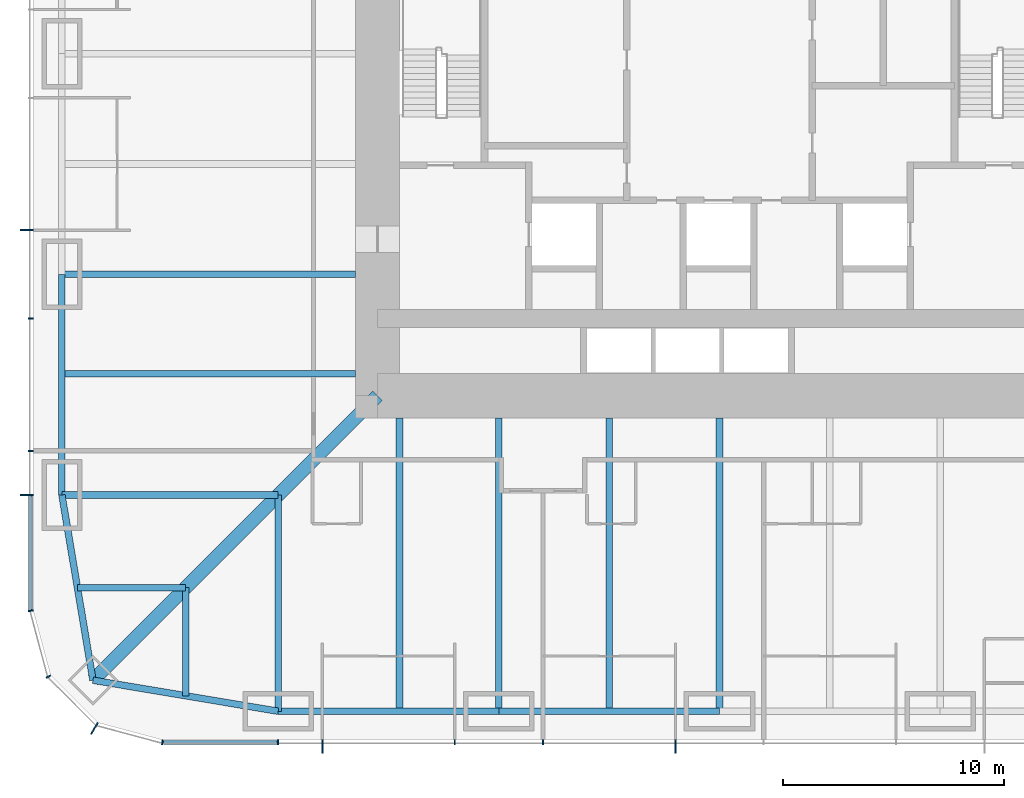
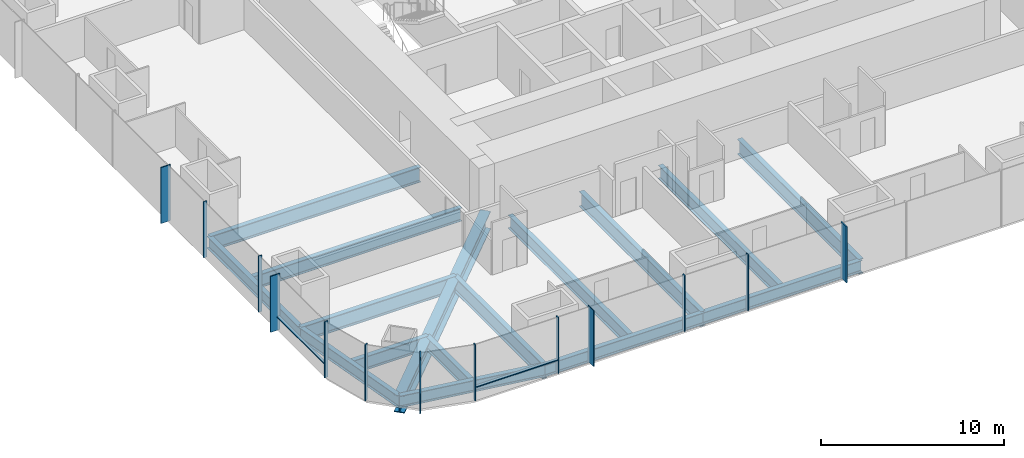
# One storey, part 2 of 17: 16 beams, 15 members, 3 elements without a shape of their own.
"""IFC4 building model written with IfcOpenShell, lengths in metres."""

from ifc_helpers import new_model, si_unit, direction, frame, origin, origin_2d, place, context, subcontext, project, spatial, rectangle, i_section, extrude, material, material_profile, profile_set, type_object, element, aggregate, save


model = new_model("IFC4")

# Units and contexts
model_context = context("Model", 3, precision=1e-05, world=origin(), true_north=direction((0.0, 1.0)))
body_context = subcontext(model_context, "Body", "Model", "MODEL_VIEW")
ifc_project = project(units=[si_unit("LENGTHUNIT", "METRE"), si_unit("AREAUNIT", "SQUARE_METRE"), si_unit("VOLUMEUNIT", "CUBIC_METRE"), si_unit("PLANEANGLEUNIT", "RADIAN"), si_unit("MASSUNIT", "GRAM", prefix="KILO")], contexts=[model_context])

# Site, building, storey
site_placement = place(None, origin())
site = spatial("IfcSite", under=ifc_project, at=site_placement, CompositionType="ELEMENT")
building_placement = place(site_placement, origin())
building = spatial("IfcBuilding", under=site, at=building_placement, Name="Khuree Lantern Residences", CompositionType="ELEMENT")
storey_placement = place(building_placement, frame((0.0, 0.0, 77.25)))
storey = spatial("IfcBuildingStorey", under=building, at=storey_placement, Name="L19", CompositionType="ELEMENT", Elevation=77.25)

# Beams
ifc_material_1 = material(Name="Steel S355", Category="steel")
ifc_material_profile_1 = material_profile(ifc_material_1, i_section(OverallWidth=0.300048828125, OverallDepth=0.889892578125, WebThickness=0.01611328125, FlangeThickness=0.030029296875, FilletRadius=0.030029296875, at=origin_2d()), Name="HE 900 A")
ifc_profile_set_1 = profile_set([ifc_material_profile_1], Name="Steel S355")
beam_type_1 = type_object("IfcBeamType", Name="B-14 SECONDARY BEAM HE 900 A", PredefinedType="BEAM", material=ifc_profile_set_1)
for number, where, z_axis, x_axis, name in (
    (1, (-5.0, -29.800048828125, -0.695068359375), (0.0, 1.0, 0.0), (-1.0, 0.0, 0.0), "Secondary beam S4"),
    (2, (-14.5, -29.800048828125, -0.695068359375), (0.0, 1.0, 0.0), (-1.0, 0.0, 0.0), "Secondary beam S5"),
):
    element("IfcBeam", number, at=place(storey_placement, frame(where, z_axis=z_axis, x_axis=x_axis)), inside=storey, type_object=beam_type_1, Name=name, PredefinedType="BEAM", context=body_context, shape_type="SweptSolid", body=[
        extrude(i_section(OverallWidth=0.300048828125, OverallDepth=0.889892578125, WebThickness=0.01611328125, FlangeThickness=0.030029296875, FilletRadius=0.030029296875, at=origin_2d()), origin(), (0.0, 0.0, 1.0), 13.300048828125),
    ])
for number, where, z_axis, x_axis, name in (
    (3, (-24.197021484375, -29.09716796875, -0.695068359375), (0.0, 1.0, 0.0), (-1.0, 0.0, 0.0), "Secondary beam S6"),
    (4, (-29.09716796875, -24.197021484375, -0.695068359375), (1.0, 0.0, 0.0), (0.0, 1.0, 0.0), "Secondary beam W1"),
):
    element("IfcBeam", number, at=place(storey_placement, frame(where, z_axis=z_axis, x_axis=x_axis)), inside=storey, type_object=beam_type_1, Name=name, PredefinedType="BEAM", context=body_context, shape_type="SweptSolid", body=[
        extrude(i_section(OverallWidth=0.300048828125, OverallDepth=0.889892578125, WebThickness=0.01611328125, FlangeThickness=0.030029296875, FilletRadius=0.030029296875, at=origin_2d()), origin(), (0.0, 0.0, 1.0), 4.900146484375),
    ])
beam_1_placement = place(storey_placement, frame((-29.800048828125, -14.5, -0.695068359375), z_axis=(1.0, 0.0, 0.0), x_axis=(0.0, 1.0, 0.0)))
element("IfcBeam", 5, at=beam_1_placement, inside=storey, type_object=beam_type_1, Name="Secondary beam W2", PredefinedType="BEAM", context=body_context, shape_type="SweptSolid", body=[
    extrude(i_section(OverallWidth=0.300048828125, OverallDepth=0.889892578125, WebThickness=0.01611328125, FlangeThickness=0.030029296875, FilletRadius=0.030029296875, at=origin_2d()), origin(), (0.0, 0.0, 1.0), 13.300048828125),
])
ifc_material_profile_2 = material_profile(ifc_material_1, i_section(OverallWidth=0.300048828125, OverallDepth=0.7900390625, WebThickness=0.014892578125, FlangeThickness=0.028076171875, FilletRadius=0.030029296875, at=origin_2d()), Name="HE 800 A")
ifc_profile_set_2 = profile_set([ifc_material_profile_2], Name="Steel S355")
beam_type_2 = type_object("IfcBeamType", Name="E-14 SPANDREL BEAM HE 800 A", PredefinedType="SPANDREL", material=ifc_profile_set_2)
for number, where, z_axis, x_axis, name in (
    (6, (0.0, -29.800048828125, -0.64501953125), (-1.0, 0.0, 0.0), (0.0, -1.0, 0.0), "Spandrel beam S4"),
    (7, (-10.0, -29.800048828125, -0.64501953125), (-1.0, 0.0, 0.0), (0.0, -1.0, 0.0), "Spandrel beam S5"),
):
    element("IfcBeam", number, at=place(storey_placement, frame(where, z_axis=z_axis, x_axis=x_axis)), inside=storey, type_object=beam_type_2, Name=name, PredefinedType="SPANDREL", context=body_context, shape_type="SweptSolid", body=[
        extrude(i_section(OverallWidth=0.300048828125, OverallDepth=0.7900390625, WebThickness=0.014892578125, FlangeThickness=0.028076171875, FilletRadius=0.030029296875, at=origin_2d()), origin(), (0.0, 0.0, 1.0), 10.0),
    ])
for number, where, z_axis, x_axis, name in (
    (8, (-20.0, -29.800048828125, -0.64501953125), (-0.986260251158, 0.165199022349, 0.0), (-0.165199022349, -0.986260251158, 0.0), "Spandrel beam S6"),
    (9, (-28.39404296875, -28.39404296875, -0.64501953125), (-0.165199022349, 0.986260251158, 0.0), (-0.986260251158, -0.165199022349, 0.0), "Spandrel beam W1"),
):
    element("IfcBeam", number, at=place(storey_placement, frame(where, z_axis=z_axis, x_axis=x_axis)), inside=storey, type_object=beam_type_2, Name=name, PredefinedType="SPANDREL", context=body_context, shape_type="SweptSolid", body=[
        extrude(i_section(OverallWidth=0.300048828125, OverallDepth=0.7900390625, WebThickness=0.014892578125, FlangeThickness=0.028076171875, FilletRadius=0.030029296875, at=origin_2d()), origin(), (0.0, 0.0, 1.0), 8.510986328125),
    ])
beam_2_placement = place(storey_placement, frame((-29.800048828125, -20.0, -0.64501953125), z_axis=(0.0, 1.0, 0.0), x_axis=(-1.0, 0.0, 0.0)))
element("IfcBeam", 10, at=beam_2_placement, inside=storey, type_object=beam_type_2, Name="Spandrel beam W2", PredefinedType="SPANDREL", context=body_context, shape_type="SweptSolid", body=[
    extrude(i_section(OverallWidth=0.300048828125, OverallDepth=0.7900390625, WebThickness=0.014892578125, FlangeThickness=0.028076171875, FilletRadius=0.030029296875, at=origin_2d()), origin(), (0.0, 0.0, 1.0), 10.0),
])

# Curtain wall, members
ifc_material_2 = material(Name="Bronze anodised aluminium", Category="aluminium")
curtain_wall_type_1 = type_object("IfcCurtainWallType", Name="CW-T1 TOWER FACE CURTAIN WALL", PredefinedType="USERDEFINED", material=ifc_material_2)
curtain_wall_1_placement = place(storey_placement, origin())
curtain_wall_1 = element("IfcCurtainWall", 11, at=curtain_wall_1_placement, inside=storey, type_object=curtain_wall_type_1, Name="L19 WEST FACE CURTAIN WALL", ObjectType="Stick-built curtain wall", PredefinedType="USERDEFINED")
ifc_material_profile_3 = material_profile(ifc_material_2, rectangle(XDim=0.06494140625, YDim=0.60009765625, at=origin_2d()), Name="F1 65X600")
ifc_profile_set_3 = profile_set([ifc_material_profile_3], Name="Bronze anodised aluminium")
member_type_1 = type_object("IfcMemberType", Name="F1 BRONZE FIN MULLION TOWER 65X600", PredefinedType="MULLION", material=ifc_profile_set_3)
member_1_placement = place(storey_placement, frame((-31.39990234375, -8.0, 0.0), z_axis=(0.0, 0.0, 1.0), x_axis=(0.0, -1.0, 0.0)))
member_1 = element("IfcMember", 12, at=member_1_placement, type_object=member_type_1, Name="L19 WEST FACE FIN MULLION 39", PredefinedType="MULLION", context=body_context, shape_type="SweptSolid", body=[
    extrude(rectangle(XDim=0.06494140625, YDim=0.60009765625, at=origin_2d()), origin(), (0.0, 0.0, 1.0), 3.75),
])
member_2_placement = place(storey_placement, frame((-31.39990234375, -20.0, 0.0), z_axis=(0.0, 0.0, 1.0), x_axis=(0.0, -1.0, 0.0)))
member_2 = element("IfcMember", 13, at=member_2_placement, type_object=member_type_1, Name="L19 WEST FACE FIN MULLION 42", PredefinedType="MULLION", context=body_context, shape_type="SweptSolid", body=[
    extrude(rectangle(XDim=0.06494140625, YDim=0.60009765625, at=origin_2d()), origin(), (0.0, 0.0, 1.0), 3.75),
])

# Curtain wall, member
curtain_wall_type_2 = type_object("IfcCurtainWallType", Name="CW-T2 TOWER CORNER CURTAIN WALL", PredefinedType="USERDEFINED", material=ifc_material_2)
curtain_wall_2_placement = place(storey_placement, origin())
curtain_wall_2 = element("IfcCurtainWall", 14, at=curtain_wall_2_placement, inside=storey, type_object=curtain_wall_type_2, Name="L19 SOUTH-WEST CORNER CURTAIN WALL", ObjectType="Faceted corner curtain wall", PredefinedType="USERDEFINED")
member_3_placement = place(storey_placement, frame((-28.324951171875, -30.576171875, 0.0), z_axis=(0.0, 0.0, 1.0), x_axis=(0.86602537092, -0.500000056923, 0.0)))
member_3 = element("IfcMember", 15, at=member_3_placement, type_object=member_type_1, Name="L19 SOUTH-WEST CORNER FIN MULLION 45", PredefinedType="MULLION", context=body_context, shape_type="SweptSolid", body=[
    extrude(rectangle(XDim=0.06494140625, YDim=0.60009765625, at=origin_2d()), origin(), (0.0, 0.0, 1.0), 3.75),
])

# Curtain wall, members
curtain_wall_3_placement = place(storey_placement, origin())
curtain_wall_3 = element("IfcCurtainWall", 16, at=curtain_wall_3_placement, inside=storey, type_object=curtain_wall_type_1, Name="L19 SOUTH FACE CURTAIN WALL", ObjectType="Stick-built curtain wall", PredefinedType="USERDEFINED")
member_4_placement = place(storey_placement, frame((-18.0, -31.39990234375, 0.0), z_axis=(0.0, 0.0, 1.0), x_axis=(1.0, 0.0, 0.0)))
member_4 = element("IfcMember", 17, at=member_4_placement, type_object=member_type_1, Name="L19 SOUTH FACE FIN MULLION 48", PredefinedType="MULLION", context=body_context, shape_type="SweptSolid", body=[
    extrude(rectangle(XDim=0.06494140625, YDim=0.60009765625, at=origin_2d()), origin(), (0.0, 0.0, 1.0), 3.75),
])
member_5_placement = place(storey_placement, frame((-2.0, -31.39990234375, 0.0), z_axis=(0.0, 0.0, 1.0), x_axis=(1.0, 0.0, 0.0)))
member_5 = element("IfcMember", 18, at=member_5_placement, type_object=member_type_1, Name="L19 SOUTH FACE FIN MULLION 51", PredefinedType="MULLION", context=body_context, shape_type="SweptSolid", body=[
    extrude(rectangle(XDim=0.06494140625, YDim=0.60009765625, at=origin_2d()), origin(), (0.0, 0.0, 1.0), 3.75),
])

# Beams
ifc_material_profile_4 = material_profile(ifc_material_1, i_section(OverallWidth=0.302001953125, OverallDepth=1.008056640625, WebThickness=0.02099609375, FlangeThickness=0.0400390625, FilletRadius=0.030029296875, at=origin_2d()), Name="HE 1000 M")
ifc_profile_set_4 = profile_set([ifc_material_profile_4], Name="Steel S355")
beam_type_3 = type_object("IfcBeamType", Name="G-14 GIRDER HE 1000 M", PredefinedType="BEAM", material=ifc_profile_set_4)
for number, where, z_axis, x_axis, name in (
    (19, (0.0, -29.800048828125, -0.75390625), (0.0, 1.0, 0.0), (-1.0, 0.0, 0.0), "Girder S3"),
    (20, (-10.0, -29.800048828125, -0.75390625), (0.0, 1.0, 0.0), (-1.0, 0.0, 0.0), "Girder S4"),
):
    element("IfcBeam", number, at=place(storey_placement, frame(where, z_axis=z_axis, x_axis=x_axis)), inside=storey, type_object=beam_type_3, Name=name, PredefinedType="BEAM", context=body_context, shape_type="SweptSolid", body=[
        extrude(i_section(OverallWidth=0.302001953125, OverallDepth=1.008056640625, WebThickness=0.02099609375, FlangeThickness=0.0400390625, FilletRadius=0.030029296875, at=origin_2d()), origin(), (0.0, 0.0, 1.0), 13.300048828125),
    ])
for number, where, z_axis, x_axis, name in (
    (21, (-20.0, -29.800048828125, -0.75390625), (0.0, 1.0, 0.0), (-1.0, 0.0, 0.0), "Girder S5"),
    (22, (-29.800048828125, -20.0, -0.75390625), (1.0, 0.0, 0.0), (0.0, 1.0, 0.0), "Girder W1"),
):
    element("IfcBeam", number, at=place(storey_placement, frame(where, z_axis=z_axis, x_axis=x_axis)), inside=storey, type_object=beam_type_3, Name=name, PredefinedType="BEAM", context=body_context, shape_type="SweptSolid", body=[
        extrude(i_section(OverallWidth=0.302001953125, OverallDepth=1.008056640625, WebThickness=0.02099609375, FlangeThickness=0.0400390625, FilletRadius=0.030029296875, at=origin_2d()), origin(), (0.0, 0.0, 1.0), 9.800048828125),
    ])
beam_3_placement = place(storey_placement, frame((-29.800048828125, -10.0, -0.75390625), z_axis=(1.0, 0.0, 0.0), x_axis=(0.0, 1.0, 0.0)))
element("IfcBeam", 23, at=beam_3_placement, inside=storey, type_object=beam_type_3, Name="Girder W2", PredefinedType="BEAM", context=body_context, shape_type="SweptSolid", body=[
    extrude(i_section(OverallWidth=0.302001953125, OverallDepth=1.008056640625, WebThickness=0.02099609375, FlangeThickness=0.0400390625, FilletRadius=0.030029296875, at=origin_2d()), origin(), (0.0, 0.0, 1.0), 13.300048828125),
])
ifc_material_profile_5 = material_profile(ifc_material_1, i_section(OverallWidth=0.60009765625, OverallDepth=1.199951171875, WebThickness=0.030029296875, FlangeThickness=0.06005859375, at=origin_2d()), Name="WELDED I 1200X600X30X60")
ifc_profile_set_5 = profile_set([ifc_material_profile_5], Name="Steel S355")
beam_type_4 = type_object("IfcBeamType", Name="GD-14 CORNER GIRDER WELDED I 1200X600X30X60", PredefinedType="BEAM", material=ifc_profile_set_5)
beam_4_placement = place(storey_placement, frame((-28.39404296875, -28.39404296875, -0.85009765625), z_axis=(0.707106781187, 0.707106781187, 0.0), x_axis=(-0.707106781187, 0.707106781187, 0.0)))
element("IfcBeam", 24, at=beam_4_placement, inside=storey, type_object=beam_type_4, Name="Corner girder SW", PredefinedType="BEAM", context=body_context, shape_type="SweptSolid", body=[
    extrude(i_section(OverallWidth=0.60009765625, OverallDepth=1.199951171875, WebThickness=0.030029296875, FlangeThickness=0.06005859375, at=origin_2d()), origin(), (0.0, 0.0, 1.0), 18.23486328125),
])

# Member
ifc_material_profile_6 = material_profile(ifc_material_2, rectangle(XDim=0.06494140625, YDim=0.219970703125, at=origin_2d()), Name="M1 65X220")
ifc_profile_set_6 = profile_set([ifc_material_profile_6], Name="Bronze anodised aluminium")
member_type_2 = type_object("IfcMemberType", Name="M1 BRONZE MULLION TOWER 65X220", PredefinedType="MULLION", material=ifc_profile_set_6)
member_6_placement = place(storey_placement, frame((-31.2099609375, -12.0, 0.0), z_axis=(0.0, 0.0, 1.0), x_axis=(0.0, -1.0, 0.0)))
member_6 = element("IfcMember", 25, at=member_6_placement, type_object=member_type_2, Name="L19 WEST FACE MULLION 40", PredefinedType="MULLION", context=body_context, shape_type="SweptSolid", body=[
    extrude(rectangle(XDim=0.06494140625, YDim=0.219970703125, at=origin_2d()), origin(), (0.0, 0.0, 1.0), 3.75),
])

member_7_placement = place(storey_placement, frame((-31.2099609375, -18.0, 0.0), z_axis=(0.0, 0.0, 1.0), x_axis=(0.0, -1.0, 0.0)))
member_7 = element("IfcMember", 26, at=member_7_placement, type_object=member_type_2, Name="L19 WEST FACE MULLION 41", PredefinedType="MULLION", context=body_context, shape_type="SweptSolid", body=[
    extrude(rectangle(XDim=0.06494140625, YDim=0.219970703125, at=origin_2d()), origin(), (0.0, 0.0, 1.0), 3.75),
])

member_8_placement = place(storey_placement, frame((-31.211669921875, -25.244873046875, 0.0), z_axis=(0.0, 0.0, 1.0), x_axis=(0.130526257387, -0.991444852794, 0.0)))
member_8 = element("IfcMember", 27, at=member_8_placement, type_object=member_type_2, Name="L19 SOUTH-WEST CORNER MULLION 43", PredefinedType="MULLION", context=body_context, shape_type="SweptSolid", body=[
    extrude(rectangle(XDim=0.06494140625, YDim=0.219970703125, at=origin_2d()), origin(), (0.0, 0.0, 1.0), 3.75),
])

member_9_placement = place(storey_placement, frame((-30.41162109375, -28.22998046875, 0.0), z_axis=(0.0, 0.0, 1.0), x_axis=(0.500000056923, -0.86602537092, 0.0)))
member_9 = element("IfcMember", 28, at=member_9_placement, type_object=member_type_2, Name="L19 SOUTH-WEST CORNER MULLION 44", PredefinedType="MULLION", context=body_context, shape_type="SweptSolid", body=[
    extrude(rectangle(XDim=0.06494140625, YDim=0.219970703125, at=origin_2d()), origin(), (0.0, 0.0, 1.0), 3.75),
])

aggregate(curtain_wall_2, [member_8, member_9, member_3])

member_10_placement = place(storey_placement, frame((-25.244873046875, -31.211669921875, 0.0), z_axis=(0.0, 0.0, 1.0), x_axis=(0.991444852794, -0.130526257387, 0.0)))
member_10 = element("IfcMember", 29, at=member_10_placement, type_object=member_type_2, Name="L19 SOUTH FACE MULLION 46", PredefinedType="MULLION", context=body_context, shape_type="SweptSolid", body=[
    extrude(rectangle(XDim=0.06494140625, YDim=0.219970703125, at=origin_2d()), origin(), (0.0, 0.0, 1.0), 3.75),
])

member_11_placement = place(storey_placement, frame((-20.0, -31.2099609375, 0.0), z_axis=(0.0, 0.0, 1.0), x_axis=(1.0, 0.0, 0.0)))
member_11 = element("IfcMember", 30, at=member_11_placement, type_object=member_type_2, Name="L19 SOUTH FACE MULLION 47", PredefinedType="MULLION", context=body_context, shape_type="SweptSolid", body=[
    extrude(rectangle(XDim=0.06494140625, YDim=0.219970703125, at=origin_2d()), origin(), (0.0, 0.0, 1.0), 3.75),
])

member_12_placement = place(storey_placement, frame((-12.0, -31.2099609375, 0.0), z_axis=(0.0, 0.0, 1.0), x_axis=(1.0, 0.0, 0.0)))
member_12 = element("IfcMember", 31, at=member_12_placement, type_object=member_type_2, Name="L19 SOUTH FACE MULLION 49", PredefinedType="MULLION", context=body_context, shape_type="SweptSolid", body=[
    extrude(rectangle(XDim=0.06494140625, YDim=0.219970703125, at=origin_2d()), origin(), (0.0, 0.0, 1.0), 3.75),
])

member_13_placement = place(storey_placement, frame((-8.0, -31.2099609375, 0.0), z_axis=(0.0, 0.0, 1.0), x_axis=(1.0, 0.0, 0.0)))
member_13 = element("IfcMember", 32, at=member_13_placement, type_object=member_type_2, Name="L19 SOUTH FACE MULLION 50", PredefinedType="MULLION", context=body_context, shape_type="SweptSolid", body=[
    extrude(rectangle(XDim=0.06494140625, YDim=0.219970703125, at=origin_2d()), origin(), (0.0, 0.0, 1.0), 3.75),
])

ifc_material_profile_7 = material_profile(ifc_material_2, rectangle(XDim=0.179931640625, YDim=0.06494140625, at=origin_2d()), Name="T1 180X65")
ifc_profile_set_7 = profile_set([ifc_material_profile_7], Name="Bronze anodised aluminium")
member_type_3 = type_object("IfcMemberType", Name="TRANSOM T1 TOWER 180X65", PredefinedType="USERDEFINED", material=ifc_profile_set_7)
member_14_placement = place(storey_placement, frame((-31.219970703125, -20.032470703125, 0.89990234375), z_axis=(0.0, -1.0, 0.0), x_axis=(1.0, 0.0, 0.0)))
member_14 = element("IfcMember", 33, at=member_14_placement, type_object=member_type_3, Name="L19 WEST FACE TRANSOM 42.1", ObjectType="Transom", PredefinedType="USERDEFINED", context=body_context, shape_type="SweptSolid", body=[
    extrude(rectangle(XDim=0.179931640625, YDim=0.06494140625, at=origin_2d()), origin(), (0.0, 0.0, 1.0), 5.1689453125),
])

aggregate(curtain_wall_1, [member_1, member_6, member_7, member_2, member_14])

member_15_placement = place(storey_placement, frame((-25.201416015625, -31.219970703125, 0.89990234375), z_axis=(1.0, 0.0, 0.0), x_axis=(0.0, 1.0, 0.0)))
member_15 = element("IfcMember", 34, at=member_15_placement, type_object=member_type_3, Name="L19 SOUTH FACE TRANSOM 46.1", ObjectType="Transom", PredefinedType="USERDEFINED", context=body_context, shape_type="SweptSolid", body=[
    extrude(rectangle(XDim=0.179931640625, YDim=0.06494140625, at=origin_2d()), origin(), (0.0, 0.0, 1.0), 5.1689453125),
])

aggregate(curtain_wall_3, [member_10, member_11, member_4, member_12, member_13, member_5, member_15])

save(model, "model.ifc")
